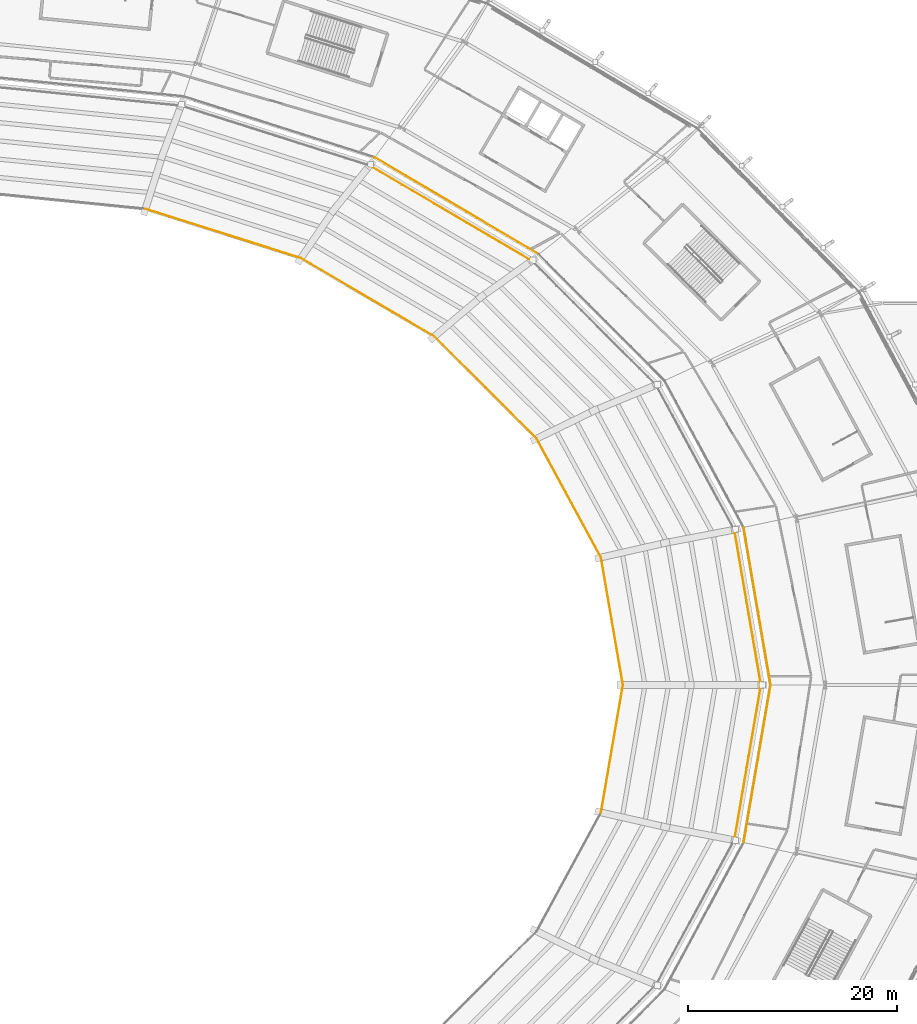
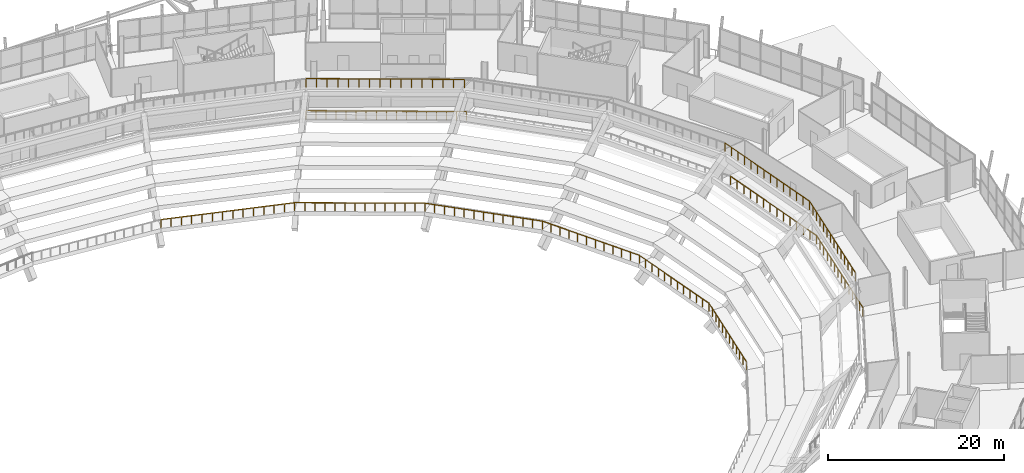
# One storey, part 120 of 126: 12 railings.
"""IFC4 building model written with IfcOpenShell, lengths in metres."""

from ifc_helpers import new_model, si_unit, direction, frame, origin, origin_2d, place, context, subcontext, project, spatial, rectangle, extrude, material, type_object, element, save


model = new_model("IFC4")

# Units and contexts
model_context = context("Model", 3, precision=1e-05, world=origin(), true_north=direction((0.0, 1.0)))
body_context = subcontext(model_context, "Body", "Model", "MODEL_VIEW")
ifc_project = project(units=[si_unit("LENGTHUNIT", "METRE"), si_unit("AREAUNIT", "SQUARE_METRE"), si_unit("VOLUMEUNIT", "CUBIC_METRE"), si_unit("PLANEANGLEUNIT", "RADIAN"), si_unit("MASSUNIT", "GRAM", prefix="KILO")], contexts=[model_context])

# Site, building, storey
site_placement = place(None, origin())
site = spatial("IfcSite", under=ifc_project, at=site_placement, CompositionType="ELEMENT")
building_placement = place(site_placement, origin())
building = spatial("IfcBuilding", under=site, at=building_placement, Name="Zlatoyarsky Gate Stadium", CompositionType="ELEMENT")
storey_placement = place(building_placement, frame((0.0, 0.0, 20.800048828125)))
storey = spatial("IfcBuildingStorey", under=building, at=storey_placement, Name="L04", CompositionType="ELEMENT", Elevation=20.800048828125)

# Railings
ifc_material_1 = material(Name="Galvanised steel sightline guardrail", Category="steel")
railing_type_1 = type_object("IfcRailingType", Name="BOWL FRONT SIGHTLINE GUARDRAIL 1150", PredefinedType="GUARDRAIL", material=ifc_material_1)
railing_1_placement = place(storey_placement, frame((172.64990234375, 80.0, -4.400146484375)))
element("IfcRailing", 1, at=railing_1_placement, inside=storey, type_object=railing_type_1, Name="Upper bowl front guardrail 00", PredefinedType="GUARDRAIL", context=body_context, shape_type="SweptSolid", body=[
    extrude(rectangle(XDim=0.048095703125, YDim=0.048095703125, at=origin_2d()), frame((0.0, 0.0, 1.1259765625), z_axis=(-0.169636873131, 0.985506636849, 0.0), x_axis=(-0.985506636849, -0.169636873131, 0.0)), (0.0, 0.0, 1.0), 12.3828125),
    extrude(rectangle(XDim=0.0419921875, YDim=0.0419921875, at=origin_2d()), origin(), (0.0, 0.0, 1.0), 1.101806640625),
    extrude(rectangle(XDim=0.0419921875, YDim=0.0419921875, at=origin_2d()), frame((-0.19091796875, 1.109375, 0.0)), (0.0, 0.0, 1.0), 1.101806640625),
    extrude(rectangle(XDim=0.0419921875, YDim=0.0419921875, at=origin_2d()), frame((-0.3818359375, 2.21875, 0.0)), (0.0, 0.0, 1.0), 1.101806640625),
    extrude(rectangle(XDim=0.0419921875, YDim=0.0419921875, at=origin_2d()), frame((-0.572998046875, 3.328125, 0.0)), (0.0, 0.0, 1.0), 1.101806640625),
    extrude(rectangle(XDim=0.0419921875, YDim=0.0419921875, at=origin_2d()), frame((-0.763916015625, 4.4375, 0.0)), (0.0, 0.0, 1.0), 1.101806640625),
    extrude(rectangle(XDim=0.0419921875, YDim=0.0419921875, at=origin_2d()), frame((-0.954833984375, 5.546875, 0.0)), (0.0, 0.0, 1.0), 1.101806640625),
    extrude(rectangle(XDim=0.0419921875, YDim=0.0419921875, at=origin_2d()), frame((-1.145751953125, 6.656494140625, 0.0)), (0.0, 0.0, 1.0), 1.101806640625),
    extrude(rectangle(XDim=0.0419921875, YDim=0.0419921875, at=origin_2d()), frame((-1.336669921875, 7.765869140625, 0.0)), (0.0, 0.0, 1.0), 1.101806640625),
    extrude(rectangle(XDim=0.0419921875, YDim=0.0419921875, at=origin_2d()), frame((-1.527587890625, 8.875244140625, 0.0)), (0.0, 0.0, 1.0), 1.101806640625),
    extrude(rectangle(XDim=0.0419921875, YDim=0.0419921875, at=origin_2d()), frame((-1.71875, 9.984619140625, 0.0)), (0.0, 0.0, 1.0), 1.101806640625),
    extrude(rectangle(XDim=0.0419921875, YDim=0.0419921875, at=origin_2d()), frame((-1.90966796875, 11.093994140625, 0.0)), (0.0, 0.0, 1.0), 1.101806640625),
    extrude(rectangle(XDim=0.0419921875, YDim=0.0419921875, at=origin_2d()), frame((-2.1005859375, 12.203369140625, 0.0)), (0.0, 0.0, 1.0), 1.101806640625),
])
railing_2_placement = place(storey_placement, frame((170.54931640625, 92.203369140625, -4.400146484375)))
element("IfcRailing", 2, at=railing_2_placement, inside=storey, type_object=railing_type_1, Name="Upper bowl front guardrail 01", PredefinedType="GUARDRAIL", context=body_context, shape_type="SweptSolid", body=[
    extrude(rectangle(XDim=0.048095703125, YDim=0.048095703125, at=origin_2d()), frame((0.0, 0.0, 1.1259765625), z_axis=(-0.476243009473, 0.879313707347, 0.0), x_axis=(-0.879313707347, -0.476243009473, 0.0)), (0.0, 0.0, 1.0), 12.932373046875),
    extrude(rectangle(XDim=0.0419921875, YDim=0.0419921875, at=origin_2d()), origin(), (0.0, 0.0, 1.0), 1.101806640625),
    extrude(rectangle(XDim=0.0419921875, YDim=0.0419921875, at=origin_2d()), frame((-0.559814453125, 1.03369140625, 0.0)), (0.0, 0.0, 1.0), 1.101806640625),
    extrude(rectangle(XDim=0.0419921875, YDim=0.0419921875, at=origin_2d()), frame((-1.119873046875, 2.067626953125, 0.0)), (0.0, 0.0, 1.0), 1.101806640625),
    extrude(rectangle(XDim=0.0419921875, YDim=0.0419921875, at=origin_2d()), frame((-1.6796875, 3.101318359375, 0.0)), (0.0, 0.0, 1.0), 1.101806640625),
    extrude(rectangle(XDim=0.0419921875, YDim=0.0419921875, at=origin_2d()), frame((-2.239501953125, 4.135009765625, 0.0)), (0.0, 0.0, 1.0), 1.101806640625),
    extrude(rectangle(XDim=0.0419921875, YDim=0.0419921875, at=origin_2d()), frame((-2.799560546875, 5.1689453125, 0.0)), (0.0, 0.0, 1.0), 1.101806640625),
    extrude(rectangle(XDim=0.0419921875, YDim=0.0419921875, at=origin_2d()), frame((-3.359375, 6.20263671875, 0.0)), (0.0, 0.0, 1.0), 1.101806640625),
    extrude(rectangle(XDim=0.0419921875, YDim=0.0419921875, at=origin_2d()), frame((-3.91943359375, 7.236572265625, 0.0)), (0.0, 0.0, 1.0), 1.101806640625),
    extrude(rectangle(XDim=0.0419921875, YDim=0.0419921875, at=origin_2d()), frame((-4.479248046875, 8.270263671875, 0.0)), (0.0, 0.0, 1.0), 1.101806640625),
    extrude(rectangle(XDim=0.0419921875, YDim=0.0419921875, at=origin_2d()), frame((-5.0390625, 9.303955078125, 0.0)), (0.0, 0.0, 1.0), 1.101806640625),
    extrude(rectangle(XDim=0.0419921875, YDim=0.0419921875, at=origin_2d()), frame((-5.59912109375, 10.337890625, 0.0)), (0.0, 0.0, 1.0), 1.101806640625),
    extrude(rectangle(XDim=0.0419921875, YDim=0.0419921875, at=origin_2d()), frame((-6.158935546875, 11.37158203125, 0.0)), (0.0, 0.0, 1.0), 1.101806640625),
])
railing_3_placement = place(storey_placement, frame((164.390380859375, 103.574951171875, -4.400146484375)))
element("IfcRailing", 3, at=railing_3_placement, inside=storey, type_object=railing_type_1, Name="Upper bowl front guardrail 02", PredefinedType="GUARDRAIL", context=body_context, shape_type="SweptSolid", body=[
    extrude(rectangle(XDim=0.048095703125, YDim=0.048095703125, at=origin_2d()), frame((0.0, 0.0, 1.1259765625), z_axis=(-0.708270682541, 0.705940960884, 0.0), x_axis=(-0.705940960884, -0.708270682541, 0.0)), (0.0, 0.0, 1.0), 13.832763671875),
    extrude(rectangle(XDim=0.0419921875, YDim=0.0419921875, at=origin_2d()), origin(), (0.0, 0.0, 1.0), 1.101806640625),
    extrude(rectangle(XDim=0.0419921875, YDim=0.0419921875, at=origin_2d()), frame((-0.81640625, 0.813720703125, 0.0)), (0.0, 0.0, 1.0), 1.101806640625),
    extrude(rectangle(XDim=0.0419921875, YDim=0.0419921875, at=origin_2d()), frame((-1.6328125, 1.62744140625, 0.0)), (0.0, 0.0, 1.0), 1.101806640625),
    extrude(rectangle(XDim=0.0419921875, YDim=0.0419921875, at=origin_2d()), frame((-2.44921875, 2.44140625, 0.0)), (0.0, 0.0, 1.0), 1.101806640625),
    extrude(rectangle(XDim=0.0419921875, YDim=0.0419921875, at=origin_2d()), frame((-3.265869140625, 3.255126953125, 0.0)), (0.0, 0.0, 1.0), 1.101806640625),
    extrude(rectangle(XDim=0.0419921875, YDim=0.0419921875, at=origin_2d()), frame((-4.082275390625, 4.06884765625, 0.0)), (0.0, 0.0, 1.0), 1.101806640625),
    extrude(rectangle(XDim=0.0419921875, YDim=0.0419921875, at=origin_2d()), frame((-4.898681640625, 4.882568359375, 0.0)), (0.0, 0.0, 1.0), 1.101806640625),
    extrude(rectangle(XDim=0.0419921875, YDim=0.0419921875, at=origin_2d()), frame((-5.715087890625, 5.6962890625, 0.0)), (0.0, 0.0, 1.0), 1.101806640625),
    extrude(rectangle(XDim=0.0419921875, YDim=0.0419921875, at=origin_2d()), frame((-6.531494140625, 6.510009765625, 0.0)), (0.0, 0.0, 1.0), 1.101806640625),
    extrude(rectangle(XDim=0.0419921875, YDim=0.0419921875, at=origin_2d()), frame((-7.34814453125, 7.32373046875, 0.0)), (0.0, 0.0, 1.0), 1.101806640625),
    extrude(rectangle(XDim=0.0419921875, YDim=0.0419921875, at=origin_2d()), frame((-8.16455078125, 8.1376953125, 0.0)), (0.0, 0.0, 1.0), 1.101806640625),
    extrude(rectangle(XDim=0.0419921875, YDim=0.0419921875, at=origin_2d()), frame((-8.98095703125, 8.951416015625, 0.0)), (0.0, 0.0, 1.0), 1.101806640625),
    extrude(rectangle(XDim=0.0419921875, YDim=0.0419921875, at=origin_2d()), frame((-9.79736328125, 9.76513671875, 0.0)), (0.0, 0.0, 1.0), 1.101806640625),
])
railing_4_placement = place(storey_placement, frame((154.593017578125, 113.340087890625, -4.400146484375)))
element("IfcRailing", 4, at=railing_4_placement, inside=storey, type_object=railing_type_1, Name="Upper bowl front guardrail 03", PredefinedType="GUARDRAIL", context=body_context, shape_type="SweptSolid", body=[
    extrude(rectangle(XDim=0.048095703125, YDim=0.048095703125, at=origin_2d()), frame((0.0, 0.0, 1.1259765625), z_axis=(-0.862456472838, 0.506131240351, 0.0), x_axis=(-0.506131240351, -0.862456472838, 0.0)), (0.0, 0.0, 1.0), 14.80419921875),
    extrude(rectangle(XDim=0.0419921875, YDim=0.0419921875, at=origin_2d()), origin(), (0.0, 0.0, 1.0), 1.101806640625),
    extrude(rectangle(XDim=0.0419921875, YDim=0.0419921875, at=origin_2d()), frame((-0.982177734375, 0.576416015625, 0.0)), (0.0, 0.0, 1.0), 1.101806640625),
    extrude(rectangle(XDim=0.0419921875, YDim=0.0419921875, at=origin_2d()), frame((-1.96435546875, 1.15283203125, 0.0)), (0.0, 0.0, 1.0), 1.101806640625),
    extrude(rectangle(XDim=0.0419921875, YDim=0.0419921875, at=origin_2d()), frame((-2.946533203125, 1.729248046875, 0.0)), (0.0, 0.0, 1.0), 1.101806640625),
    extrude(rectangle(XDim=0.0419921875, YDim=0.0419921875, at=origin_2d()), frame((-3.9287109375, 2.305419921875, 0.0)), (0.0, 0.0, 1.0), 1.101806640625),
    extrude(rectangle(XDim=0.0419921875, YDim=0.0419921875, at=origin_2d()), frame((-4.910888671875, 2.8818359375, 0.0)), (0.0, 0.0, 1.0), 1.101806640625),
    extrude(rectangle(XDim=0.0419921875, YDim=0.0419921875, at=origin_2d()), frame((-5.89306640625, 3.458251953125, 0.0)), (0.0, 0.0, 1.0), 1.101806640625),
    extrude(rectangle(XDim=0.0419921875, YDim=0.0419921875, at=origin_2d()), frame((-6.875, 4.03466796875, 0.0)), (0.0, 0.0, 1.0), 1.101806640625),
    extrude(rectangle(XDim=0.0419921875, YDim=0.0419921875, at=origin_2d()), frame((-7.857177734375, 4.611083984375, 0.0)), (0.0, 0.0, 1.0), 1.101806640625),
    extrude(rectangle(XDim=0.0419921875, YDim=0.0419921875, at=origin_2d()), frame((-8.83935546875, 5.1875, 0.0)), (0.0, 0.0, 1.0), 1.101806640625),
    extrude(rectangle(XDim=0.0419921875, YDim=0.0419921875, at=origin_2d()), frame((-9.821533203125, 5.763671875, 0.0)), (0.0, 0.0, 1.0), 1.101806640625),
    extrude(rectangle(XDim=0.0419921875, YDim=0.0419921875, at=origin_2d()), frame((-10.8037109375, 6.340087890625, 0.0)), (0.0, 0.0, 1.0), 1.101806640625),
    extrude(rectangle(XDim=0.0419921875, YDim=0.0419921875, at=origin_2d()), frame((-11.785888671875, 6.91650390625, 0.0)), (0.0, 0.0, 1.0), 1.101806640625),
    extrude(rectangle(XDim=0.0419921875, YDim=0.0419921875, at=origin_2d()), frame((-12.76806640625, 7.492919921875, 0.0)), (0.0, 0.0, 1.0), 1.101806640625),
])
railing_5_placement = place(storey_placement, frame((141.824951171875, 120.8330078125, -4.400146484375)))
element("IfcRailing", 5, at=railing_5_placement, inside=storey, type_object=railing_type_1, Name="Upper bowl front guardrail 04", PredefinedType="GUARDRAIL", context=body_context, shape_type="SweptSolid", body=[
    extrude(rectangle(XDim=0.048095703125, YDim=0.048095703125, at=origin_2d()), frame((0.0, 0.0, 1.1259765625), z_axis=(-0.953304525626, 0.30201073064, 0.0), x_axis=(-0.30201073064, -0.953304525626, 0.0)), (0.0, 0.0, 1.0), 15.596923828125),
    extrude(rectangle(XDim=0.0419921875, YDim=0.0419921875, at=origin_2d()), origin(), (0.0, 0.0, 1.0), 1.101806640625),
    extrude(rectangle(XDim=0.0419921875, YDim=0.0419921875, at=origin_2d()), frame((-1.143798828125, 0.3623046875, 0.0)), (0.0, 0.0, 1.0), 1.101806640625),
    extrude(rectangle(XDim=0.0419921875, YDim=0.0419921875, at=origin_2d()), frame((-2.28759765625, 0.724609375, 0.0)), (0.0, 0.0, 1.0), 1.101806640625),
    extrude(rectangle(XDim=0.0419921875, YDim=0.0419921875, at=origin_2d()), frame((-3.43115234375, 1.0869140625, 0.0)), (0.0, 0.0, 1.0), 1.101806640625),
    extrude(rectangle(XDim=0.0419921875, YDim=0.0419921875, at=origin_2d()), frame((-4.574951171875, 1.449462890625, 0.0)), (0.0, 0.0, 1.0), 1.101806640625),
    extrude(rectangle(XDim=0.0419921875, YDim=0.0419921875, at=origin_2d()), frame((-5.71875, 1.811767578125, 0.0)), (0.0, 0.0, 1.0), 1.101806640625),
    extrude(rectangle(XDim=0.0419921875, YDim=0.0419921875, at=origin_2d()), frame((-6.862548828125, 2.174072265625, 0.0)), (0.0, 0.0, 1.0), 1.101806640625),
    extrude(rectangle(XDim=0.0419921875, YDim=0.0419921875, at=origin_2d()), frame((-8.006103515625, 2.536376953125, 0.0)), (0.0, 0.0, 1.0), 1.101806640625),
    extrude(rectangle(XDim=0.0419921875, YDim=0.0419921875, at=origin_2d()), frame((-9.14990234375, 2.898681640625, 0.0)), (0.0, 0.0, 1.0), 1.101806640625),
    extrude(rectangle(XDim=0.0419921875, YDim=0.0419921875, at=origin_2d()), frame((-10.293701171875, 3.260986328125, 0.0)), (0.0, 0.0, 1.0), 1.101806640625),
    extrude(rectangle(XDim=0.0419921875, YDim=0.0419921875, at=origin_2d()), frame((-11.4375, 3.62353515625, 0.0)), (0.0, 0.0, 1.0), 1.101806640625),
    extrude(rectangle(XDim=0.0419921875, YDim=0.0419921875, at=origin_2d()), frame((-12.5810546875, 3.98583984375, 0.0)), (0.0, 0.0, 1.0), 1.101806640625),
    extrude(rectangle(XDim=0.0419921875, YDim=0.0419921875, at=origin_2d()), frame((-13.724853515625, 4.34814453125, 0.0)), (0.0, 0.0, 1.0), 1.101806640625),
    extrude(rectangle(XDim=0.0419921875, YDim=0.0419921875, at=origin_2d()), frame((-14.86865234375, 4.71044921875, 0.0)), (0.0, 0.0, 1.0), 1.101806640625),
])
railing_6_placement = place(storey_placement, frame((170.54931640625, 67.796630859375, -4.400146484375)))
element("IfcRailing", 6, at=railing_6_placement, inside=storey, type_object=railing_type_1, Name="Upper bowl front guardrail 23", PredefinedType="GUARDRAIL", context=body_context, shape_type="SweptSolid", body=[
    extrude(rectangle(XDim=0.048095703125, YDim=0.048095703125, at=origin_2d()), frame((0.0, 0.0, 1.1259765625), z_axis=(0.169636873131, 0.985506636849, 0.0), x_axis=(-0.985506636849, 0.169636873131, 0.0)), (0.0, 0.0, 1.0), 12.3828125),
    extrude(rectangle(XDim=0.0419921875, YDim=0.0419921875, at=origin_2d()), origin(), (0.0, 0.0, 1.0), 1.101806640625),
    extrude(rectangle(XDim=0.0419921875, YDim=0.0419921875, at=origin_2d()), frame((0.19091796875, 1.109375, 0.0)), (0.0, 0.0, 1.0), 1.101806640625),
    extrude(rectangle(XDim=0.0419921875, YDim=0.0419921875, at=origin_2d()), frame((0.3818359375, 2.21875, 0.0)), (0.0, 0.0, 1.0), 1.101806640625),
    extrude(rectangle(XDim=0.0419921875, YDim=0.0419921875, at=origin_2d()), frame((0.572998046875, 3.328125, 0.0)), (0.0, 0.0, 1.0), 1.101806640625),
    extrude(rectangle(XDim=0.0419921875, YDim=0.0419921875, at=origin_2d()), frame((0.763916015625, 4.4375, 0.0)), (0.0, 0.0, 1.0), 1.101806640625),
    extrude(rectangle(XDim=0.0419921875, YDim=0.0419921875, at=origin_2d()), frame((0.954833984375, 5.546875, 0.0)), (0.0, 0.0, 1.0), 1.101806640625),
    extrude(rectangle(XDim=0.0419921875, YDim=0.0419921875, at=origin_2d()), frame((1.145751953125, 6.656494140625, 0.0)), (0.0, 0.0, 1.0), 1.101806640625),
    extrude(rectangle(XDim=0.0419921875, YDim=0.0419921875, at=origin_2d()), frame((1.336669921875, 7.765869140625, 0.0)), (0.0, 0.0, 1.0), 1.101806640625),
    extrude(rectangle(XDim=0.0419921875, YDim=0.0419921875, at=origin_2d()), frame((1.527587890625, 8.875244140625, 0.0)), (0.0, 0.0, 1.0), 1.101806640625),
    extrude(rectangle(XDim=0.0419921875, YDim=0.0419921875, at=origin_2d()), frame((1.71875, 9.984619140625, 0.0)), (0.0, 0.0, 1.0), 1.101806640625),
    extrude(rectangle(XDim=0.0419921875, YDim=0.0419921875, at=origin_2d()), frame((1.90966796875, 11.093994140625, 0.0)), (0.0, 0.0, 1.0), 1.101806640625),
    extrude(rectangle(XDim=0.0419921875, YDim=0.0419921875, at=origin_2d()), frame((2.1005859375, 12.203369140625, 0.0)), (0.0, 0.0, 1.0), 1.101806640625),
])
ifc_material_2 = material(Name="Powder-coated steel tubular guardrail", Category="steel")
railing_type_2 = type_object("IfcRailingType", Name="CONCOURSE SLAB EDGE GUARDRAIL 1200", PredefinedType="GUARDRAIL", material=ifc_material_2)
railing_7_placement = place(storey_placement, frame((185.85009765625, 80.0, 5.099853515625)))
element("IfcRailing", 7, at=railing_7_placement, inside=storey, type_object=railing_type_2, Name="Upper bowl back guardrail 00", PredefinedType="GUARDRAIL", context=body_context, shape_type="SweptSolid", body=[
    extrude(rectangle(XDim=0.048095703125, YDim=0.048095703125, at=origin_2d()), frame((0.0, 0.0, 1.17578125), z_axis=(-0.169349392239, 0.985556078236, 0.0), x_axis=(-0.985556078236, -0.169349392239, 0.0)), (0.0, 0.0, 1.0), 15.060791015625),
    extrude(rectangle(XDim=0.0419921875, YDim=0.0419921875, at=origin_2d()), origin(), (0.0, 0.0, 1.0), 1.15185546875),
    extrude(rectangle(XDim=0.0419921875, YDim=0.0419921875, at=origin_2d()), frame((-0.1962890625, 1.141845703125, 0.0)), (0.0, 0.0, 1.0), 1.15185546875),
    extrude(rectangle(XDim=0.0419921875, YDim=0.0419921875, at=origin_2d()), frame((-0.392333984375, 2.28369140625, 0.0)), (0.0, 0.0, 1.0), 1.15185546875),
    extrude(rectangle(XDim=0.0419921875, YDim=0.0419921875, at=origin_2d()), frame((-0.588623046875, 3.42529296875, 0.0)), (0.0, 0.0, 1.0), 1.15185546875),
    extrude(rectangle(XDim=0.0419921875, YDim=0.0419921875, at=origin_2d()), frame((-0.78466796875, 4.567138671875, 0.0)), (0.0, 0.0, 1.0), 1.15185546875),
    extrude(rectangle(XDim=0.0419921875, YDim=0.0419921875, at=origin_2d()), frame((-0.98095703125, 5.708984375, 0.0)), (0.0, 0.0, 1.0), 1.15185546875),
    extrude(rectangle(XDim=0.0419921875, YDim=0.0419921875, at=origin_2d()), frame((-1.17724609375, 6.850830078125, 0.0)), (0.0, 0.0, 1.0), 1.15185546875),
    extrude(rectangle(XDim=0.0419921875, YDim=0.0419921875, at=origin_2d()), frame((-1.373291015625, 7.992431640625, 0.0)), (0.0, 0.0, 1.0), 1.15185546875),
    extrude(rectangle(XDim=0.0419921875, YDim=0.0419921875, at=origin_2d()), frame((-1.569580078125, 9.13427734375, 0.0)), (0.0, 0.0, 1.0), 1.15185546875),
    extrude(rectangle(XDim=0.0419921875, YDim=0.0419921875, at=origin_2d()), frame((-1.765869140625, 10.276123046875, 0.0)), (0.0, 0.0, 1.0), 1.15185546875),
    extrude(rectangle(XDim=0.0419921875, YDim=0.0419921875, at=origin_2d()), frame((-1.9619140625, 11.41796875, 0.0)), (0.0, 0.0, 1.0), 1.15185546875),
    extrude(rectangle(XDim=0.0419921875, YDim=0.0419921875, at=origin_2d()), frame((-2.158203125, 12.5595703125, 0.0)), (0.0, 0.0, 1.0), 1.15185546875),
    extrude(rectangle(XDim=0.0419921875, YDim=0.0419921875, at=origin_2d()), frame((-2.354248046875, 13.701416015625, 0.0)), (0.0, 0.0, 1.0), 1.15185546875),
    extrude(rectangle(XDim=0.0419921875, YDim=0.0419921875, at=origin_2d()), frame((-2.550537109375, 14.84326171875, 0.0)), (0.0, 0.0, 1.0), 1.15185546875),
])
railing_8_placement = place(storey_placement, frame((186.780029296875, 80.0, 0.0)))
element("IfcRailing", 8, at=railing_8_placement, inside=storey, type_object=railing_type_2, Name="L04 inner bowl edge guardrail 00", PredefinedType="GUARDRAIL", context=body_context, shape_type="SweptSolid", body=[
    extrude(rectangle(XDim=0.048095703125, YDim=0.048095703125, at=origin_2d()), frame((0.0, 0.0, 1.17578125), z_axis=(-0.16872292797, 0.985663519451, 0.0), x_axis=(-0.985663519451, -0.16872292797, 0.0)), (0.0, 0.0, 1.0), 15.303466796875),
    extrude(rectangle(XDim=0.0419921875, YDim=0.0419921875, at=origin_2d()), origin(), (0.0, 0.0, 1.0), 1.15185546875),
    extrude(rectangle(XDim=0.0419921875, YDim=0.0419921875, at=origin_2d()), frame((-0.19873046875, 1.160400390625, 0.0)), (0.0, 0.0, 1.0), 1.15185546875),
    extrude(rectangle(XDim=0.0419921875, YDim=0.0419921875, at=origin_2d()), frame((-0.397216796875, 2.320556640625, 0.0)), (0.0, 0.0, 1.0), 1.15185546875),
    extrude(rectangle(XDim=0.0419921875, YDim=0.0419921875, at=origin_2d()), frame((-0.595947265625, 3.48095703125, 0.0)), (0.0, 0.0, 1.0), 1.15185546875),
    extrude(rectangle(XDim=0.0419921875, YDim=0.0419921875, at=origin_2d()), frame((-0.79443359375, 4.64111328125, 0.0)), (0.0, 0.0, 1.0), 1.15185546875),
    extrude(rectangle(XDim=0.0419921875, YDim=0.0419921875, at=origin_2d()), frame((-0.9931640625, 5.801513671875, 0.0)), (0.0, 0.0, 1.0), 1.15185546875),
    extrude(rectangle(XDim=0.0419921875, YDim=0.0419921875, at=origin_2d()), frame((-1.191650390625, 6.9619140625, 0.0)), (0.0, 0.0, 1.0), 1.15185546875),
    extrude(rectangle(XDim=0.0419921875, YDim=0.0419921875, at=origin_2d()), frame((-1.390380859375, 8.1220703125, 0.0)), (0.0, 0.0, 1.0), 1.15185546875),
    extrude(rectangle(XDim=0.0419921875, YDim=0.0419921875, at=origin_2d()), frame((-1.5888671875, 9.282470703125, 0.0)), (0.0, 0.0, 1.0), 1.15185546875),
    extrude(rectangle(XDim=0.0419921875, YDim=0.0419921875, at=origin_2d()), frame((-1.78759765625, 10.44287109375, 0.0)), (0.0, 0.0, 1.0), 1.15185546875),
    extrude(rectangle(XDim=0.0419921875, YDim=0.0419921875, at=origin_2d()), frame((-1.986083984375, 11.60302734375, 0.0)), (0.0, 0.0, 1.0), 1.15185546875),
    extrude(rectangle(XDim=0.0419921875, YDim=0.0419921875, at=origin_2d()), frame((-2.184814453125, 12.763427734375, 0.0)), (0.0, 0.0, 1.0), 1.15185546875),
    extrude(rectangle(XDim=0.0419921875, YDim=0.0419921875, at=origin_2d()), frame((-2.38330078125, 13.923583984375, 0.0)), (0.0, 0.0, 1.0), 1.15185546875),
    extrude(rectangle(XDim=0.0419921875, YDim=0.0419921875, at=origin_2d()), frame((-2.58203125, 15.083984375, 0.0)), (0.0, 0.0, 1.0), 1.15185546875),
])
railing_9_placement = place(storey_placement, frame((163.927001953125, 120.552490234375, 5.099853515625)))
element("IfcRailing", 9, at=railing_9_placement, inside=storey, type_object=railing_type_2, Name="Upper bowl back guardrail 03", PredefinedType="GUARDRAIL", context=body_context, shape_type="SweptSolid", body=[
    extrude(rectangle(XDim=0.048095703125, YDim=0.048095703125, at=origin_2d()), frame((0.0, 0.0, 1.17578125), z_axis=(-0.862050412529, 0.506822539217, 0.0), x_axis=(-0.506822539217, -0.862050412529, 0.0)), (0.0, 0.0, 1.0), 17.982666015625),
    extrude(rectangle(XDim=0.0419921875, YDim=0.0419921875, at=origin_2d()), origin(), (0.0, 0.0, 1.0), 1.15185546875),
    extrude(rectangle(XDim=0.0419921875, YDim=0.0419921875, at=origin_2d()), frame((-1.033447265625, 0.607666015625, 0.0)), (0.0, 0.0, 1.0), 1.15185546875),
    extrude(rectangle(XDim=0.0419921875, YDim=0.0419921875, at=origin_2d()), frame((-2.06689453125, 1.215087890625, 0.0)), (0.0, 0.0, 1.0), 1.15185546875),
    extrude(rectangle(XDim=0.0419921875, YDim=0.0419921875, at=origin_2d()), frame((-3.100341796875, 1.82275390625, 0.0)), (0.0, 0.0, 1.0), 1.15185546875),
    extrude(rectangle(XDim=0.0419921875, YDim=0.0419921875, at=origin_2d()), frame((-4.1337890625, 2.430419921875, 0.0)), (0.0, 0.0, 1.0), 1.15185546875),
    extrude(rectangle(XDim=0.0419921875, YDim=0.0419921875, at=origin_2d()), frame((-5.167236328125, 3.0380859375, 0.0)), (0.0, 0.0, 1.0), 1.15185546875),
    extrude(rectangle(XDim=0.0419921875, YDim=0.0419921875, at=origin_2d()), frame((-6.20068359375, 3.6455078125, 0.0)), (0.0, 0.0, 1.0), 1.15185546875),
    extrude(rectangle(XDim=0.0419921875, YDim=0.0419921875, at=origin_2d()), frame((-7.234130859375, 4.253173828125, 0.0)), (0.0, 0.0, 1.0), 1.15185546875),
    extrude(rectangle(XDim=0.0419921875, YDim=0.0419921875, at=origin_2d()), frame((-8.267822265625, 4.86083984375, 0.0)), (0.0, 0.0, 1.0), 1.15185546875),
    extrude(rectangle(XDim=0.0419921875, YDim=0.0419921875, at=origin_2d()), frame((-9.30126953125, 5.468505859375, 0.0)), (0.0, 0.0, 1.0), 1.15185546875),
    extrude(rectangle(XDim=0.0419921875, YDim=0.0419921875, at=origin_2d()), frame((-10.334716796875, 6.075927734375, 0.0)), (0.0, 0.0, 1.0), 1.15185546875),
    extrude(rectangle(XDim=0.0419921875, YDim=0.0419921875, at=origin_2d()), frame((-11.3681640625, 6.68359375, 0.0)), (0.0, 0.0, 1.0), 1.15185546875),
    extrude(rectangle(XDim=0.0419921875, YDim=0.0419921875, at=origin_2d()), frame((-12.401611328125, 7.291259765625, 0.0)), (0.0, 0.0, 1.0), 1.15185546875),
    extrude(rectangle(XDim=0.0419921875, YDim=0.0419921875, at=origin_2d()), frame((-13.43505859375, 7.89892578125, 0.0)), (0.0, 0.0, 1.0), 1.15185546875),
    extrude(rectangle(XDim=0.0419921875, YDim=0.0419921875, at=origin_2d()), frame((-14.468505859375, 8.50634765625, 0.0)), (0.0, 0.0, 1.0), 1.15185546875),
    extrude(rectangle(XDim=0.0419921875, YDim=0.0419921875, at=origin_2d()), frame((-15.501953125, 9.114013671875, 0.0)), (0.0, 0.0, 1.0), 1.15185546875),
])
railing_10_placement = place(storey_placement, frame((164.584716796875, 121.210205078125, 0.0)))
element("IfcRailing", 10, at=railing_10_placement, inside=storey, type_object=railing_type_2, Name="L04 inner bowl edge guardrail 03", PredefinedType="GUARDRAIL", context=body_context, shape_type="SweptSolid", body=[
    extrude(rectangle(XDim=0.048095703125, YDim=0.048095703125, at=origin_2d()), frame((0.0, 0.0, 1.17578125), z_axis=(-0.861226688102, 0.508221006749, 0.0), x_axis=(-0.508221006749, -0.861226688102, 0.0)), (0.0, 0.0, 1.0), 18.223876953125),
    extrude(rectangle(XDim=0.0419921875, YDim=0.0419921875, at=origin_2d()), origin(), (0.0, 0.0, 1.0), 1.15185546875),
    extrude(rectangle(XDim=0.0419921875, YDim=0.0419921875, at=origin_2d()), frame((-0.98095703125, 0.578857421875, 0.0)), (0.0, 0.0, 1.0), 1.15185546875),
    extrude(rectangle(XDim=0.0419921875, YDim=0.0419921875, at=origin_2d()), frame((-1.9619140625, 1.15771484375, 0.0)), (0.0, 0.0, 1.0), 1.15185546875),
    extrude(rectangle(XDim=0.0419921875, YDim=0.0419921875, at=origin_2d()), frame((-2.94287109375, 1.736572265625, 0.0)), (0.0, 0.0, 1.0), 1.15185546875),
    extrude(rectangle(XDim=0.0419921875, YDim=0.0419921875, at=origin_2d()), frame((-3.923828125, 2.3154296875, 0.0)), (0.0, 0.0, 1.0), 1.15185546875),
    extrude(rectangle(XDim=0.0419921875, YDim=0.0419921875, at=origin_2d()), frame((-4.904541015625, 2.894287109375, 0.0)), (0.0, 0.0, 1.0), 1.15185546875),
    extrude(rectangle(XDim=0.0419921875, YDim=0.0419921875, at=origin_2d()), frame((-5.885498046875, 3.47314453125, 0.0)), (0.0, 0.0, 1.0), 1.15185546875),
    extrude(rectangle(XDim=0.0419921875, YDim=0.0419921875, at=origin_2d()), frame((-6.866455078125, 4.052001953125, 0.0)), (0.0, 0.0, 1.0), 1.15185546875),
    extrude(rectangle(XDim=0.0419921875, YDim=0.0419921875, at=origin_2d()), frame((-7.847412109375, 4.630859375, 0.0)), (0.0, 0.0, 1.0), 1.15185546875),
    extrude(rectangle(XDim=0.0419921875, YDim=0.0419921875, at=origin_2d()), frame((-8.828369140625, 5.209716796875, 0.0)), (0.0, 0.0, 1.0), 1.15185546875),
    extrude(rectangle(XDim=0.0419921875, YDim=0.0419921875, at=origin_2d()), frame((-9.809326171875, 5.78857421875, 0.0)), (0.0, 0.0, 1.0), 1.15185546875),
    extrude(rectangle(XDim=0.0419921875, YDim=0.0419921875, at=origin_2d()), frame((-10.790283203125, 6.367431640625, 0.0)), (0.0, 0.0, 1.0), 1.15185546875),
    extrude(rectangle(XDim=0.0419921875, YDim=0.0419921875, at=origin_2d()), frame((-11.77099609375, 6.9462890625, 0.0)), (0.0, 0.0, 1.0), 1.15185546875),
    extrude(rectangle(XDim=0.0419921875, YDim=0.0419921875, at=origin_2d()), frame((-12.751953125, 7.525146484375, 0.0)), (0.0, 0.0, 1.0), 1.15185546875),
    extrude(rectangle(XDim=0.0419921875, YDim=0.0419921875, at=origin_2d()), frame((-13.73291015625, 8.10400390625, 0.0)), (0.0, 0.0, 1.0), 1.15185546875),
    extrude(rectangle(XDim=0.0419921875, YDim=0.0419921875, at=origin_2d()), frame((-14.7138671875, 8.682861328125, 0.0)), (0.0, 0.0, 1.0), 1.15185546875),
    extrude(rectangle(XDim=0.0419921875, YDim=0.0419921875, at=origin_2d()), frame((-15.69482421875, 9.26171875, 0.0)), (0.0, 0.0, 1.0), 1.15185546875),
])
railing_11_placement = place(storey_placement, frame((183.299560546875, 65.15673828125, 5.099853515625)))
element("IfcRailing", 11, at=railing_11_placement, inside=storey, type_object=railing_type_2, Name="Upper bowl back guardrail 23", PredefinedType="GUARDRAIL", context=body_context, shape_type="SweptSolid", body=[
    extrude(rectangle(XDim=0.048095703125, YDim=0.048095703125, at=origin_2d()), frame((0.0, 0.0, 1.17578125), z_axis=(0.169349392239, 0.985556078236, 0.0), x_axis=(-0.985556078236, 0.169349392239, 0.0)), (0.0, 0.0, 1.0), 15.060791015625),
    extrude(rectangle(XDim=0.0419921875, YDim=0.0419921875, at=origin_2d()), origin(), (0.0, 0.0, 1.0), 1.15185546875),
    extrude(rectangle(XDim=0.0419921875, YDim=0.0419921875, at=origin_2d()), frame((0.1962890625, 1.141845703125, 0.0)), (0.0, 0.0, 1.0), 1.15185546875),
    extrude(rectangle(XDim=0.0419921875, YDim=0.0419921875, at=origin_2d()), frame((0.392333984375, 2.28369140625, 0.0)), (0.0, 0.0, 1.0), 1.15185546875),
    extrude(rectangle(XDim=0.0419921875, YDim=0.0419921875, at=origin_2d()), frame((0.588623046875, 3.42529296875, 0.0)), (0.0, 0.0, 1.0), 1.15185546875),
    extrude(rectangle(XDim=0.0419921875, YDim=0.0419921875, at=origin_2d()), frame((0.78466796875, 4.567138671875, 0.0)), (0.0, 0.0, 1.0), 1.15185546875),
    extrude(rectangle(XDim=0.0419921875, YDim=0.0419921875, at=origin_2d()), frame((0.98095703125, 5.708984375, 0.0)), (0.0, 0.0, 1.0), 1.15185546875),
    extrude(rectangle(XDim=0.0419921875, YDim=0.0419921875, at=origin_2d()), frame((1.17724609375, 6.850830078125, 0.0)), (0.0, 0.0, 1.0), 1.15185546875),
    extrude(rectangle(XDim=0.0419921875, YDim=0.0419921875, at=origin_2d()), frame((1.373291015625, 7.992431640625, 0.0)), (0.0, 0.0, 1.0), 1.15185546875),
    extrude(rectangle(XDim=0.0419921875, YDim=0.0419921875, at=origin_2d()), frame((1.569580078125, 9.13427734375, 0.0)), (0.0, 0.0, 1.0), 1.15185546875),
    extrude(rectangle(XDim=0.0419921875, YDim=0.0419921875, at=origin_2d()), frame((1.765869140625, 10.276123046875, 0.0)), (0.0, 0.0, 1.0), 1.15185546875),
    extrude(rectangle(XDim=0.0419921875, YDim=0.0419921875, at=origin_2d()), frame((1.9619140625, 11.41796875, 0.0)), (0.0, 0.0, 1.0), 1.15185546875),
    extrude(rectangle(XDim=0.0419921875, YDim=0.0419921875, at=origin_2d()), frame((2.158203125, 12.5595703125, 0.0)), (0.0, 0.0, 1.0), 1.15185546875),
    extrude(rectangle(XDim=0.0419921875, YDim=0.0419921875, at=origin_2d()), frame((2.354248046875, 13.701416015625, 0.0)), (0.0, 0.0, 1.0), 1.15185546875),
    extrude(rectangle(XDim=0.0419921875, YDim=0.0419921875, at=origin_2d()), frame((2.550537109375, 14.84326171875, 0.0)), (0.0, 0.0, 1.0), 1.15185546875),
])
railing_12_placement = place(storey_placement, frame((184.197998046875, 64.916015625, 0.0)))
element("IfcRailing", 12, at=railing_12_placement, inside=storey, type_object=railing_type_2, Name="L04 inner bowl edge guardrail 23", PredefinedType="GUARDRAIL", context=body_context, shape_type="SweptSolid", body=[
    extrude(rectangle(XDim=0.048095703125, YDim=0.048095703125, at=origin_2d()), frame((0.0, 0.0, 1.17578125), z_axis=(0.16872292797, 0.985663519451, 0.0), x_axis=(-0.985663519451, 0.16872292797, 0.0)), (0.0, 0.0, 1.0), 15.303466796875),
    extrude(rectangle(XDim=0.0419921875, YDim=0.0419921875, at=origin_2d()), origin(), (0.0, 0.0, 1.0), 1.15185546875),
    extrude(rectangle(XDim=0.0419921875, YDim=0.0419921875, at=origin_2d()), frame((0.19873046875, 1.160400390625, 0.0)), (0.0, 0.0, 1.0), 1.15185546875),
    extrude(rectangle(XDim=0.0419921875, YDim=0.0419921875, at=origin_2d()), frame((0.397216796875, 2.320556640625, 0.0)), (0.0, 0.0, 1.0), 1.15185546875),
    extrude(rectangle(XDim=0.0419921875, YDim=0.0419921875, at=origin_2d()), frame((0.595947265625, 3.48095703125, 0.0)), (0.0, 0.0, 1.0), 1.15185546875),
    extrude(rectangle(XDim=0.0419921875, YDim=0.0419921875, at=origin_2d()), frame((0.79443359375, 4.64111328125, 0.0)), (0.0, 0.0, 1.0), 1.15185546875),
    extrude(rectangle(XDim=0.0419921875, YDim=0.0419921875, at=origin_2d()), frame((0.9931640625, 5.801513671875, 0.0)), (0.0, 0.0, 1.0), 1.15185546875),
    extrude(rectangle(XDim=0.0419921875, YDim=0.0419921875, at=origin_2d()), frame((1.191650390625, 6.9619140625, 0.0)), (0.0, 0.0, 1.0), 1.15185546875),
    extrude(rectangle(XDim=0.0419921875, YDim=0.0419921875, at=origin_2d()), frame((1.390380859375, 8.1220703125, 0.0)), (0.0, 0.0, 1.0), 1.15185546875),
    extrude(rectangle(XDim=0.0419921875, YDim=0.0419921875, at=origin_2d()), frame((1.5888671875, 9.282470703125, 0.0)), (0.0, 0.0, 1.0), 1.15185546875),
    extrude(rectangle(XDim=0.0419921875, YDim=0.0419921875, at=origin_2d()), frame((1.78759765625, 10.44287109375, 0.0)), (0.0, 0.0, 1.0), 1.15185546875),
    extrude(rectangle(XDim=0.0419921875, YDim=0.0419921875, at=origin_2d()), frame((1.986083984375, 11.60302734375, 0.0)), (0.0, 0.0, 1.0), 1.15185546875),
    extrude(rectangle(XDim=0.0419921875, YDim=0.0419921875, at=origin_2d()), frame((2.184814453125, 12.763427734375, 0.0)), (0.0, 0.0, 1.0), 1.15185546875),
    extrude(rectangle(XDim=0.0419921875, YDim=0.0419921875, at=origin_2d()), frame((2.38330078125, 13.923583984375, 0.0)), (0.0, 0.0, 1.0), 1.15185546875),
    extrude(rectangle(XDim=0.0419921875, YDim=0.0419921875, at=origin_2d()), frame((2.58203125, 15.083984375, 0.0)), (0.0, 0.0, 1.0), 1.15185546875),
])

save(model, "model.ifc")
